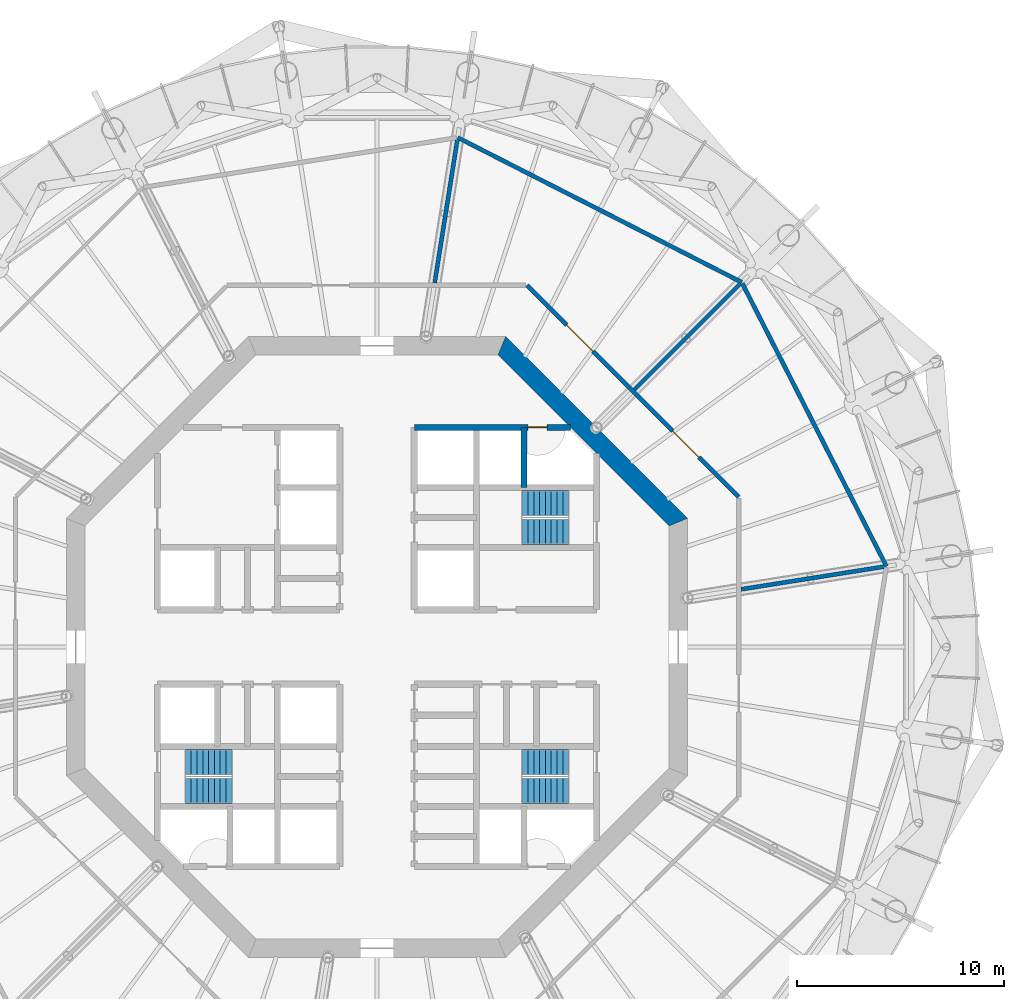
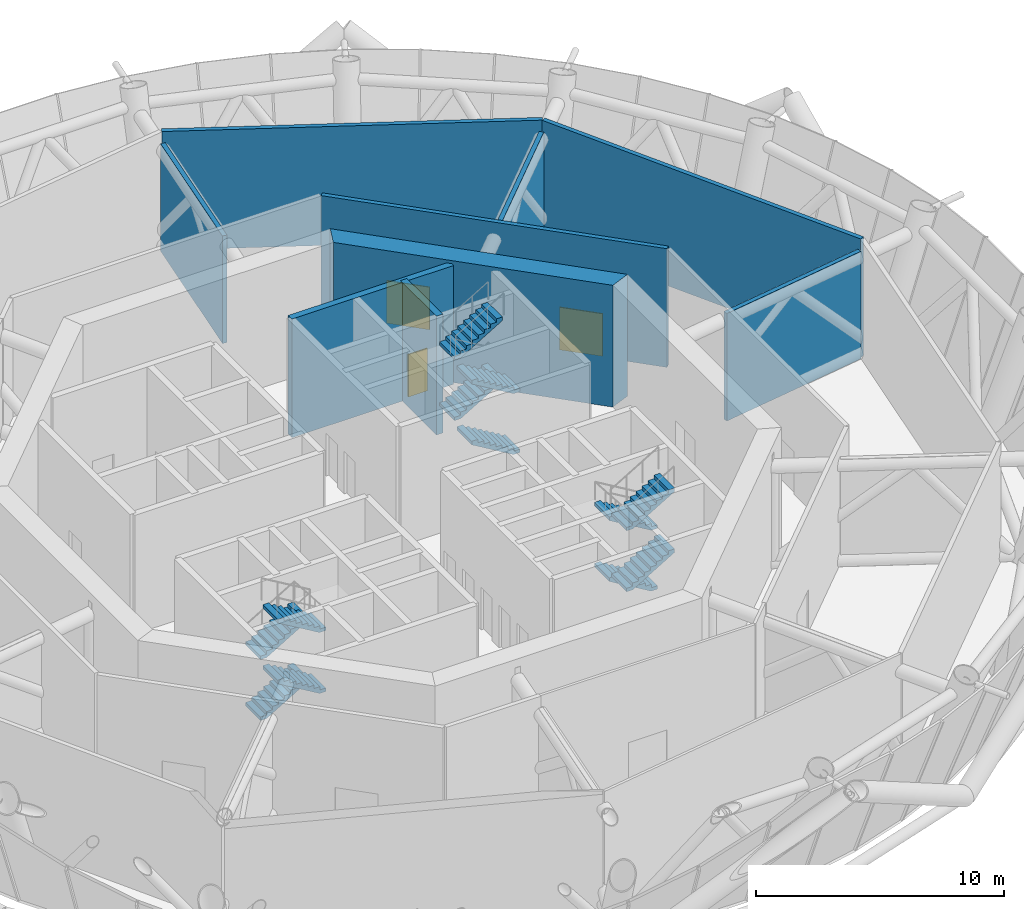
# One storey, part 10 of 15: 12 stair flights, 9 walls, 3 doors, 3 openings, 3 elements without a shape of their own.
"""IFC4 building model written with IfcOpenShell, lengths in metres."""

from ifc_helpers import new_model, si_unit, direction, frame, frame_2d, origin, place, context, subcontext, project, spatial, polyline, rectangle, outline, extrude, material, layer, layer_set, type_object, element, fill, aggregate, save


model = new_model("IFC4")

# Units and contexts
model_context = context("Model", 3, precision=1e-05, world=origin(), true_north=direction((0.0, 1.0)))
body_context = subcontext(model_context, "Body", "Model", "MODEL_VIEW")
ifc_project = project(units=[si_unit("LENGTHUNIT", "METRE"), si_unit("AREAUNIT", "SQUARE_METRE"), si_unit("VOLUMEUNIT", "CUBIC_METRE"), si_unit("PLANEANGLEUNIT", "RADIAN"), si_unit("MASSUNIT", "GRAM", prefix="KILO")], contexts=[model_context])

# Site, building, storey
site_placement = place(None, origin())
site = spatial("IfcSite", under=ifc_project, at=site_placement, CompositionType="ELEMENT")
building_placement = place(site_placement, origin())
building = spatial("IfcBuilding", under=site, at=building_placement, Name="Entoto Ring Tower", CompositionType="ELEMENT")
storey_placement = place(building_placement, frame((0.0, 0.0, 268.0)))
storey = spatial("IfcBuildingStorey", under=building, at=storey_placement, Name="L61", CompositionType="ELEMENT", Elevation=268.0)

# Wall
ifc_material_1 = material(Name="Concrete C40/50", Category="concrete")
ifc_layer_1 = layer(ifc_material_1, 0.300048828125)
ifc_layer_set_1 = layer_set([ifc_layer_1], Name="Concrete C40/50")
wall_type_1 = type_object("IfcWallType", Name="Core enclosure wall 300 mm reinforced concrete", PredefinedType="SOLIDWALL", material=ifc_layer_set_1)
wall_1_placement = place(storey_placement, frame((97.10009765625, 87.699951171875, 0.0), z_axis=(0.0, 0.0, 1.0), x_axis=(0.0, 1.0, 0.0)))
element("IfcWall", 1, at=wall_1_placement, inside=storey, type_object=wall_type_1, Name="wall-L61-005", PredefinedType="SOLIDWALL", context=body_context, shape_type="SweptSolid", body=[
    extrude(rectangle(XDim=2.900146484375, YDim=0.300048828125, at=frame_2d((1.4501953125, 0.0))), origin(), (0.0, 0.0, 1.0), 5.85009765625),
])

# Wall, opening, door
wall_2_placement = place(storey_placement, frame((91.800048828125, 90.60009765625, 0.0), z_axis=(0.0, 0.0, 1.0), x_axis=(1.0, 0.0, 0.0)))
wall_2 = element("IfcWall", 2, at=wall_2_placement, inside=storey, type_object=wall_type_1, Name="wall-L61-043", PredefinedType="SOLIDWALL", context=body_context, shape_type="SweptSolid", body=[
    extrude(rectangle(XDim=7.540283203125, YDim=0.300048828125, at=frame_2d((3.77001953125, 0.0))), origin(), (0.0, 0.0, 1.0), 5.85009765625),
])
opening_1_placement = place(wall_2_placement, frame((5.5, 0.0, 0.0)))
opening_1 = element("IfcOpeningElement", 3, at=opening_1_placement, cuts=wall_2, Name="Opening K-82", PredefinedType="OPENING", context=body_context, shape_type="SweptSolid", body=[
    extrude(rectangle(XDim=0.89990234375, YDim=2.10009765625, at=frame_2d((0.449951171875, 1.050048828125))), frame((0.0, 0.16015625, 0.0), z_axis=(0.0, -1.0, 0.0), x_axis=(1.0, 0.0, 0.0)), (0.0, 0.0, 1.0), 0.320068359375),
])
ifc_material_2 = material(Name="Steel door leaf, fire rated", Category="steel")
ifc_layer_2 = layer(ifc_material_2, 0.050048828125)
ifc_layer_set_2 = layer_set([ifc_layer_2], Name="Steel door leaf, fire rated")
door_type_1 = type_object("IfcDoorType", Name="Riser door FD60 900 x 2100 single leaf", OperationType="NOTDEFINED", PredefinedType="DOOR", material=ifc_layer_set_2)
door_1_placement = place(opening_1_placement, frame((0.89990234375, 0.0, 0.0), z_axis=(0.0, 0.0, 1.0), x_axis=(-1.0, 0.0, 0.0)))
door_1 = element("IfcDoor", 4, at=door_1_placement, inside=storey, type_object=door_type_1, Name="Door K-82", OperationType="SINGLE_SWING_LEFT", OverallHeight=2.10009765625, OverallWidth=0.89990234375, PredefinedType="DOOR", context=body_context, shape_type="SweptSolid", body=[
    extrude(rectangle(XDim=0.89990234375, YDim=2.10009765625, at=frame_2d((0.449951171875, 1.050048828125))), frame((0.0, 0.02490234375, 0.0), z_axis=(0.0, -1.0, 0.0), x_axis=(1.0, 0.0, 0.0)), (0.0, 0.0, 1.0), 0.050048828125),
])
fill(opening_1, door_1)

# Walls
ifc_material_3 = material(Name="Concrete C50/60", Category="concrete")
ifc_layer_3 = layer(ifc_material_3, 0.89990234375)
ifc_layer_set_3 = layer_set([ifc_layer_3], Name="Concrete C50/60")
wall_type_2 = type_object("IfcWallType", Name="Core shear wall 900 mm reinforced concrete C50/60", PredefinedType="SHEAR", material=ifc_layer_set_3)
wall_3_placement = place(storey_placement, frame((104.550048828125, 86.02685546875, 0.0), z_axis=(0.0, 0.0, 1.0), x_axis=(-0.707106781187, 0.707106781187, 0.0)))
element("IfcWall", 5, at=wall_3_placement, inside=storey, type_object=wall_type_2, Name="wall-L61-core-1", PredefinedType="SHEAR", context=body_context, shape_type="SweptSolid", body=[
    extrude(outline(polyline([(-0.186279296875, -0.449951171875), (12.239990234375, -0.449951171875), (11.867431640625, 0.449951171875), (0.186279296875, 0.449951171875), (-0.186279296875, -0.449951171875)])), origin(), (0.0, 0.0, 1.0), 6.0),
])
ifc_material_4 = material(Name="Concrete C20/25", Category="concrete")
ifc_layer_4 = layer(ifc_material_4, 0.199951171875)
ifc_layer_set_4 = layer_set([ifc_layer_4], Name="Concrete C20/25")
wall_type_3 = type_object("IfcWallType", Name="Plant room wall 200 mm two-hour concrete", PredefinedType="PARTITIONING", material=ifc_layer_set_4)
wall_4_placement = place(storey_placement, frame((107.60693359375, 97.60693359375, 0.0), z_axis=(0.0, 0.0, 1.0), x_axis=(-0.891003173145, 0.453997076472, 0.0)))
element("IfcWall", 6, at=wall_4_placement, inside=storey, type_object=wall_type_3, Name="partition-L61-009", PredefinedType="PARTITIONING", context=body_context, shape_type="SweptSolid", body=[
    extrude(rectangle(XDim=15.388916015625, YDim=0.199951171875, at=frame_2d((7.6943359375, 0.0))), origin(), (0.0, 0.0, 1.0), 5.85009765625),
])
wall_5_placement = place(storey_placement, frame((114.593505859375, 83.895263671875, 0.0), z_axis=(0.0, 0.0, 1.0), x_axis=(-0.453997587697, 0.891002912658, 0.0)))
element("IfcWall", 7, at=wall_5_placement, inside=storey, type_object=wall_type_3, Name="partition-L61-010", PredefinedType="PARTITIONING", context=body_context, shape_type="SweptSolid", body=[
    extrude(rectangle(XDim=15.330322265625, YDim=0.199951171875, at=frame_2d((7.6650390625, 0.0))), origin(), (0.0, 0.0, 1.0), 5.85009765625),
])

# Wall, openings, doors
wall_6_placement = place(storey_placement, frame((107.46240234375, 87.233154296875, 0.0), z_axis=(0.0, 0.0, 1.0), x_axis=(-0.707106781187, 0.707106781187, 0.0)))
wall_6 = element("IfcWall", 8, at=wall_6_placement, inside=storey, type_object=wall_type_3, Name="partition-L61-015", PredefinedType="PARTITIONING", context=body_context, shape_type="SweptSolid", body=[
    extrude(rectangle(XDim=14.46630859375, YDim=0.199951171875, at=frame_2d((7.233154296875, 0.0))), origin(), (0.0, 0.0, 1.0), 5.85009765625),
])
opening_2_placement = place(wall_6_placement, frame((2.716796875, 0.0, 0.0)))
opening_2 = element("IfcOpeningElement", 9, at=opening_2_placement, cuts=wall_6, Name="Opening A27-D01", PredefinedType="OPENING", context=body_context, shape_type="SweptSolid", body=[
    extrude(rectangle(XDim=1.800048828125, YDim=2.10009765625, at=frame_2d((0.89990234375, 1.050048828125))), frame((0.0, 0.10986328125, 0.0), z_axis=(0.0, -1.0, 0.0), x_axis=(1.0, 0.0, 0.0)), (0.0, 0.0, 1.0), 0.219970703125),
])
opening_3_placement = place(wall_6_placement, frame((9.94970703125, 0.0, 0.0)))
opening_3 = element("IfcOpeningElement", 10, at=opening_3_placement, cuts=wall_6, Name="Opening A27-D02", PredefinedType="OPENING", context=body_context, shape_type="SweptSolid", body=[
    extrude(rectangle(XDim=1.800048828125, YDim=2.10009765625, at=frame_2d((0.89990234375, 1.050048828125))), frame((0.0, 0.10986328125, 0.0), z_axis=(0.0, -1.0, 0.0), x_axis=(1.0, 0.0, 0.0)), (0.0, 0.0, 1.0), 0.219970703125),
])
ifc_material_5 = material(Name="Fire-resisting steel door set", Category="steel")
door_type_2 = type_object("IfcDoorType", Name="Door 1800 x 2100 double leaf FD60 steel door", OperationType="DOUBLE_DOOR_SINGLE_SWING", PredefinedType="DOOR", material=ifc_material_5)
door_2_placement = place(opening_2_placement, frame((1.800048828125, 0.0, 0.0), z_axis=(0.0, 0.0, 1.0), x_axis=(-1.0, 0.0, 0.0)))
door_2 = element("IfcDoor", 11, at=door_2_placement, inside=storey, type_object=door_type_2, Name="Door A27-D01", OperationType="DOUBLE_DOOR_SINGLE_SWING", OverallHeight=2.10009765625, OverallWidth=1.800048828125, PredefinedType="DOOR", context=body_context, shape_type="SweptSolid", body=[
    extrude(rectangle(XDim=1.800048828125, YDim=2.10009765625, at=frame_2d((0.89990234375, 1.050048828125))), frame((0.0, 0.02490234375, 0.0), z_axis=(0.0, -1.0, 0.0), x_axis=(1.0, 0.0, 0.0)), (0.0, 0.0, 1.0), 0.050048828125),
])
fill(opening_2, door_2)
door_3_placement = place(opening_3_placement, frame((1.800048828125, 0.0, 0.0), z_axis=(0.0, 0.0, 1.0), x_axis=(-1.0, 0.0, 0.0)))
door_3 = element("IfcDoor", 12, at=door_3_placement, inside=storey, type_object=door_type_2, Name="Door A27-D02", OperationType="DOUBLE_DOOR_SINGLE_SWING", OverallHeight=2.10009765625, OverallWidth=1.800048828125, PredefinedType="DOOR", context=body_context, shape_type="SweptSolid", body=[
    extrude(rectangle(XDim=1.800048828125, YDim=2.10009765625, at=frame_2d((0.89990234375, 1.050048828125))), frame((0.0, 0.02490234375, 0.0), z_axis=(0.0, -1.0, 0.0), x_axis=(1.0, 0.0, 0.0)), (0.0, 0.0, 1.0), 0.050048828125),
])
fill(opening_3, door_3)

# Walls
ifc_material_6 = material(Name="Concrete C20/25", Category="concrete")
ifc_layer_5 = layer(ifc_material_6, 0.199951171875)
ifc_layer_set_5 = layer_set([ifc_layer_5], Name="Concrete C20/25")
wall_type_4 = type_object("IfcWallType", Name="Plant room wall 200 mm two-hour concrete, 5300 mm high", PredefinedType="PARTITIONING", material=ifc_layer_set_5)
wall_7_placement = place(storey_placement, frame((102.418701171875, 92.418701171875, 0.0), z_axis=(0.0, 0.0, 1.0), x_axis=(0.707106781187, 0.707106781187, 0.0)))
element("IfcWall", 13, at=wall_7_placement, inside=storey, type_object=wall_type_4, Name="partition-L61-021", PredefinedType="PARTITIONING", context=body_context, shape_type="SweptSolid", body=[
    extrude(rectangle(XDim=7.199951171875, YDim=0.199951171875, at=frame_2d((3.60009765625, 0.0))), origin(), (0.0, 0.0, 1.0), 5.300048828125),
])
for number, where, z_axis, x_axis, name in (
    (14, (92.7841796875, 97.578125, 0.0), (0.0, 0.0, 1.0), (0.156435943606, 0.987688106412, 0.0), "partition-L61-024"),
    (15, (107.578125, 82.7841796875, 0.0), (0.0, 0.0, 1.0), (0.987688106412, 0.156435943606, 0.0), "partition-L61-025"),
):
    element("IfcWall", number, at=place(storey_placement, frame(where, z_axis=z_axis, x_axis=x_axis)), inside=storey, type_object=wall_type_4, Name=name, PredefinedType="PARTITIONING", context=body_context, shape_type="SweptSolid", body=[
        extrude(rectangle(XDim=6.965087890625, YDim=0.199951171875, at=frame_2d((3.482421875, 0.0))), origin(), (0.0, 0.0, 1.0), 5.300048828125),
    ])

# Stair, stair flights
ifc_material_7 = material(Name="Concrete C40/50", Category="concrete")
stair_type = type_object("IfcStairType", Name="Exit stair 1200 mm dog-leg reinforced concrete", PredefinedType="HALF_TURN_STAIR", material=ifc_material_7)
stair_1_placement = place(storey_placement, origin())
stair_1 = element("IfcStair", 16, at=stair_1_placement, inside=storey, type_object=stair_type, Name="Exit stair 1", PredefinedType="HALF_TURN_STAIR")
ifc_material_8 = material(Name="Concrete C40/50", Category="concrete")
stair_flight_type = type_object("IfcStairFlightType", Name="Stair flight 1200 mm reinforced concrete", PredefinedType="STRAIGHT", material=ifc_material_8)
stair_flight_1_placement = place(storey_placement, frame((99.25, 85.550048828125, 0.0), z_axis=(0.0, 0.0, 1.0), x_axis=(-1.0, 0.0, 0.0)))
stair_flight_1 = element("IfcStairFlight", 17, at=stair_flight_1_placement, type_object=stair_flight_type, Name="ST1 flight 1", NumberOfRisers=9, NumberOfTreads=8, PredefinedType="STRAIGHT", RiserHeight=0.166666667, TreadLength=0.28, context=body_context, shape_type="SweptSolid", body=[
    extrude(outline(polyline([(0.0, 0.0), (0.0, 0.166748046875), (0.280029296875, 0.166748046875), (0.280029296875, 0.333251953125), (0.56005859375, 0.333251953125), (0.56005859375, 0.5), (0.840087890625, 0.5), (0.840087890625, 0.666748046875), (1.1201171875, 0.666748046875), (1.1201171875, 0.833251953125), (1.39990234375, 0.833251953125), (1.39990234375, 1.0), (1.679931640625, 1.0), (1.679931640625, 1.166748046875), (1.9599609375, 1.166748046875), (1.9599609375, 1.333251953125), (2.239990234375, 1.333251953125), (2.239990234375, 1.5), (2.239990234375, 1.158935546875), (0.29296875, 0.0), (0.0, 0.0)])), frame((0.0, 0.60009765625, 0.0), z_axis=(0.0, -1.0, 0.0), x_axis=(1.0, 0.0, 0.0)), (0.0, 0.0, 1.0), 1.199951171875),
])
stair_flight_2_placement = place(storey_placement, frame((97.010009765625, 86.949951171875, 1.5), z_axis=(0.0, 0.0, 1.0), x_axis=(1.0, 0.0, 0.0)))
stair_flight_2 = element("IfcStairFlight", 18, at=stair_flight_2_placement, type_object=stair_flight_type, Name="ST1 flight 2", NumberOfRisers=9, NumberOfTreads=8, PredefinedType="STRAIGHT", RiserHeight=0.166666667, TreadLength=0.28, context=body_context, shape_type="SweptSolid", body=[
    extrude(outline(polyline([(0.0, 0.0), (0.0, 0.166748046875), (0.280029296875, 0.166748046875), (0.280029296875, 0.333251953125), (0.56005859375, 0.333251953125), (0.56005859375, 0.5), (0.840087890625, 0.5), (0.840087890625, 0.666748046875), (1.1201171875, 0.666748046875), (1.1201171875, 0.833251953125), (1.39990234375, 0.833251953125), (1.39990234375, 1.0), (1.679931640625, 1.0), (1.679931640625, 1.166748046875), (1.9599609375, 1.166748046875), (1.9599609375, 1.333251953125), (2.239990234375, 1.333251953125), (2.239990234375, 1.5), (2.239990234375, 1.158935546875), (0.29296875, 0.0), (0.0, 0.0)])), frame((0.0, 0.60009765625, 0.0), z_axis=(0.0, -1.0, 0.0), x_axis=(1.0, 0.0, 0.0)), (0.0, 0.0, 1.0), 1.199951171875),
])
stair_flight_3_placement = place(storey_placement, frame((99.25, 85.550048828125, 3.0), z_axis=(0.0, 0.0, 1.0), x_axis=(-1.0, 0.0, 0.0)))
stair_flight_3 = element("IfcStairFlight", 19, at=stair_flight_3_placement, type_object=stair_flight_type, Name="ST1 flight 3", NumberOfRisers=9, NumberOfTreads=8, PredefinedType="STRAIGHT", RiserHeight=0.166666667, TreadLength=0.28, context=body_context, shape_type="SweptSolid", body=[
    extrude(outline(polyline([(0.0, 0.0), (0.0, 0.166748046875), (0.280029296875, 0.166748046875), (0.280029296875, 0.333251953125), (0.56005859375, 0.333251953125), (0.56005859375, 0.5), (0.840087890625, 0.5), (0.840087890625, 0.666748046875), (1.1201171875, 0.666748046875), (1.1201171875, 0.833251953125), (1.39990234375, 0.833251953125), (1.39990234375, 1.0), (1.679931640625, 1.0), (1.679931640625, 1.166748046875), (1.9599609375, 1.166748046875), (1.9599609375, 1.333251953125), (2.239990234375, 1.333251953125), (2.239990234375, 1.5), (2.239990234375, 1.158935546875), (0.29296875, 0.0), (0.0, 0.0)])), frame((0.0, 0.60009765625, 0.0), z_axis=(0.0, -1.0, 0.0), x_axis=(1.0, 0.0, 0.0)), (0.0, 0.0, 1.0), 1.199951171875),
])
stair_flight_4_placement = place(storey_placement, frame((97.010009765625, 86.949951171875, 4.5), z_axis=(0.0, 0.0, 1.0), x_axis=(1.0, 0.0, 0.0)))
stair_flight_4 = element("IfcStairFlight", 20, at=stair_flight_4_placement, type_object=stair_flight_type, Name="ST1 flight 4", NumberOfRisers=9, NumberOfTreads=8, PredefinedType="STRAIGHT", RiserHeight=0.166666667, TreadLength=0.28, context=body_context, shape_type="SweptSolid", body=[
    extrude(outline(polyline([(0.0, 0.0), (0.0, 0.166748046875), (0.280029296875, 0.166748046875), (0.280029296875, 0.333251953125), (0.56005859375, 0.333251953125), (0.56005859375, 0.5), (0.840087890625, 0.5), (0.840087890625, 0.666748046875), (1.1201171875, 0.666748046875), (1.1201171875, 0.833251953125), (1.39990234375, 0.833251953125), (1.39990234375, 1.0), (1.679931640625, 1.0), (1.679931640625, 1.166748046875), (1.9599609375, 1.166748046875), (1.9599609375, 1.333251953125), (2.239990234375, 1.333251953125), (2.239990234375, 1.5), (2.239990234375, 1.158935546875), (0.29296875, 0.0), (0.0, 0.0)])), frame((0.0, 0.60009765625, 0.0), z_axis=(0.0, -1.0, 0.0), x_axis=(1.0, 0.0, 0.0)), (0.0, 0.0, 1.0), 1.199951171875),
])
aggregate(stair_1, [stair_flight_1, stair_flight_2, stair_flight_3, stair_flight_4])

stair_2_placement = place(storey_placement, origin())
stair_2 = element("IfcStair", 21, at=stair_2_placement, inside=storey, type_object=stair_type, Name="Exit stair 2", PredefinedType="HALF_TURN_STAIR")
stair_flight_5_placement = place(storey_placement, frame((80.75, 74.449951171875, 0.0), z_axis=(0.0, 0.0, 1.0), x_axis=(1.0, 0.0, 0.0)))
stair_flight_5 = element("IfcStairFlight", 22, at=stair_flight_5_placement, type_object=stair_flight_type, Name="ST2 flight 1", NumberOfRisers=9, NumberOfTreads=8, PredefinedType="STRAIGHT", RiserHeight=0.166666667, TreadLength=0.28, context=body_context, shape_type="SweptSolid", body=[
    extrude(outline(polyline([(0.0, 0.0), (0.0, 0.166748046875), (0.280029296875, 0.166748046875), (0.280029296875, 0.333251953125), (0.56005859375, 0.333251953125), (0.56005859375, 0.5), (0.840087890625, 0.5), (0.840087890625, 0.666748046875), (1.1201171875, 0.666748046875), (1.1201171875, 0.833251953125), (1.39990234375, 0.833251953125), (1.39990234375, 1.0), (1.679931640625, 1.0), (1.679931640625, 1.166748046875), (1.9599609375, 1.166748046875), (1.9599609375, 1.333251953125), (2.239990234375, 1.333251953125), (2.239990234375, 1.5), (2.239990234375, 1.158935546875), (0.29296875, 0.0), (0.0, 0.0)])), frame((0.0, 0.60009765625, 0.0), z_axis=(0.0, -1.0, 0.0), x_axis=(1.0, 0.0, 0.0)), (0.0, 0.0, 1.0), 1.199951171875),
])
stair_flight_6_placement = place(storey_placement, frame((82.989990234375, 73.050048828125, 1.5), z_axis=(0.0, 0.0, 1.0), x_axis=(-1.0, 0.0, 0.0)))
stair_flight_6 = element("IfcStairFlight", 23, at=stair_flight_6_placement, type_object=stair_flight_type, Name="ST2 flight 2", NumberOfRisers=9, NumberOfTreads=8, PredefinedType="STRAIGHT", RiserHeight=0.166666667, TreadLength=0.28, context=body_context, shape_type="SweptSolid", body=[
    extrude(outline(polyline([(0.0, 0.0), (0.0, 0.166748046875), (0.280029296875, 0.166748046875), (0.280029296875, 0.333251953125), (0.56005859375, 0.333251953125), (0.56005859375, 0.5), (0.840087890625, 0.5), (0.840087890625, 0.666748046875), (1.1201171875, 0.666748046875), (1.1201171875, 0.833251953125), (1.39990234375, 0.833251953125), (1.39990234375, 1.0), (1.679931640625, 1.0), (1.679931640625, 1.166748046875), (1.9599609375, 1.166748046875), (1.9599609375, 1.333251953125), (2.239990234375, 1.333251953125), (2.239990234375, 1.5), (2.239990234375, 1.158935546875), (0.29296875, 0.0), (0.0, 0.0)])), frame((0.0, 0.60009765625, 0.0), z_axis=(0.0, -1.0, 0.0), x_axis=(1.0, 0.0, 0.0)), (0.0, 0.0, 1.0), 1.199951171875),
])
stair_flight_7_placement = place(storey_placement, frame((80.75, 74.449951171875, 3.0), z_axis=(0.0, 0.0, 1.0), x_axis=(1.0, 0.0, 0.0)))
stair_flight_7 = element("IfcStairFlight", 24, at=stair_flight_7_placement, type_object=stair_flight_type, Name="ST2 flight 3", NumberOfRisers=9, NumberOfTreads=8, PredefinedType="STRAIGHT", RiserHeight=0.166666667, TreadLength=0.28, context=body_context, shape_type="SweptSolid", body=[
    extrude(outline(polyline([(0.0, 0.0), (0.0, 0.166748046875), (0.280029296875, 0.166748046875), (0.280029296875, 0.333251953125), (0.56005859375, 0.333251953125), (0.56005859375, 0.5), (0.840087890625, 0.5), (0.840087890625, 0.666748046875), (1.1201171875, 0.666748046875), (1.1201171875, 0.833251953125), (1.39990234375, 0.833251953125), (1.39990234375, 1.0), (1.679931640625, 1.0), (1.679931640625, 1.166748046875), (1.9599609375, 1.166748046875), (1.9599609375, 1.333251953125), (2.239990234375, 1.333251953125), (2.239990234375, 1.5), (2.239990234375, 1.158935546875), (0.29296875, 0.0), (0.0, 0.0)])), frame((0.0, 0.60009765625, 0.0), z_axis=(0.0, -1.0, 0.0), x_axis=(1.0, 0.0, 0.0)), (0.0, 0.0, 1.0), 1.199951171875),
])
stair_flight_8_placement = place(storey_placement, frame((82.989990234375, 73.050048828125, 4.5), z_axis=(0.0, 0.0, 1.0), x_axis=(-1.0, 0.0, 0.0)))
stair_flight_8 = element("IfcStairFlight", 25, at=stair_flight_8_placement, type_object=stair_flight_type, Name="ST2 flight 4", NumberOfRisers=9, NumberOfTreads=8, PredefinedType="STRAIGHT", RiserHeight=0.166666667, TreadLength=0.28, context=body_context, shape_type="SweptSolid", body=[
    extrude(outline(polyline([(0.0, 0.0), (0.0, 0.166748046875), (0.280029296875, 0.166748046875), (0.280029296875, 0.333251953125), (0.56005859375, 0.333251953125), (0.56005859375, 0.5), (0.840087890625, 0.5), (0.840087890625, 0.666748046875), (1.1201171875, 0.666748046875), (1.1201171875, 0.833251953125), (1.39990234375, 0.833251953125), (1.39990234375, 1.0), (1.679931640625, 1.0), (1.679931640625, 1.166748046875), (1.9599609375, 1.166748046875), (1.9599609375, 1.333251953125), (2.239990234375, 1.333251953125), (2.239990234375, 1.5), (2.239990234375, 1.158935546875), (0.29296875, 0.0), (0.0, 0.0)])), frame((0.0, 0.60009765625, 0.0), z_axis=(0.0, -1.0, 0.0), x_axis=(1.0, 0.0, 0.0)), (0.0, 0.0, 1.0), 1.199951171875),
])
aggregate(stair_2, [stair_flight_5, stair_flight_6, stair_flight_7, stair_flight_8])

stair_3_placement = place(storey_placement, origin())
stair_3 = element("IfcStair", 26, at=stair_3_placement, inside=storey, type_object=stair_type, Name="Exit stair 3", PredefinedType="HALF_TURN_STAIR")
stair_flight_9_placement = place(storey_placement, frame((99.25, 74.449951171875, 0.0), z_axis=(0.0, 0.0, 1.0), x_axis=(-1.0, 0.0, 0.0)))
stair_flight_9 = element("IfcStairFlight", 27, at=stair_flight_9_placement, type_object=stair_flight_type, Name="ST3 flight 1", NumberOfRisers=9, NumberOfTreads=8, PredefinedType="STRAIGHT", RiserHeight=0.166666667, TreadLength=0.28, context=body_context, shape_type="SweptSolid", body=[
    extrude(outline(polyline([(0.0, 0.0), (0.0, 0.166748046875), (0.280029296875, 0.166748046875), (0.280029296875, 0.333251953125), (0.56005859375, 0.333251953125), (0.56005859375, 0.5), (0.840087890625, 0.5), (0.840087890625, 0.666748046875), (1.1201171875, 0.666748046875), (1.1201171875, 0.833251953125), (1.39990234375, 0.833251953125), (1.39990234375, 1.0), (1.679931640625, 1.0), (1.679931640625, 1.166748046875), (1.9599609375, 1.166748046875), (1.9599609375, 1.333251953125), (2.239990234375, 1.333251953125), (2.239990234375, 1.5), (2.239990234375, 1.158935546875), (0.29296875, 0.0), (0.0, 0.0)])), frame((0.0, 0.60009765625, 0.0), z_axis=(0.0, -1.0, 0.0), x_axis=(1.0, 0.0, 0.0)), (0.0, 0.0, 1.0), 1.199951171875),
])
stair_flight_10_placement = place(storey_placement, frame((97.010009765625, 73.050048828125, 1.5), z_axis=(0.0, 0.0, 1.0), x_axis=(1.0, 0.0, 0.0)))
stair_flight_10 = element("IfcStairFlight", 28, at=stair_flight_10_placement, type_object=stair_flight_type, Name="ST3 flight 2", NumberOfRisers=9, NumberOfTreads=8, PredefinedType="STRAIGHT", RiserHeight=0.166666667, TreadLength=0.28, context=body_context, shape_type="SweptSolid", body=[
    extrude(outline(polyline([(0.0, 0.0), (0.0, 0.166748046875), (0.280029296875, 0.166748046875), (0.280029296875, 0.333251953125), (0.56005859375, 0.333251953125), (0.56005859375, 0.5), (0.840087890625, 0.5), (0.840087890625, 0.666748046875), (1.1201171875, 0.666748046875), (1.1201171875, 0.833251953125), (1.39990234375, 0.833251953125), (1.39990234375, 1.0), (1.679931640625, 1.0), (1.679931640625, 1.166748046875), (1.9599609375, 1.166748046875), (1.9599609375, 1.333251953125), (2.239990234375, 1.333251953125), (2.239990234375, 1.5), (2.239990234375, 1.158935546875), (0.29296875, 0.0), (0.0, 0.0)])), frame((0.0, 0.60009765625, 0.0), z_axis=(0.0, -1.0, 0.0), x_axis=(1.0, 0.0, 0.0)), (0.0, 0.0, 1.0), 1.199951171875),
])
stair_flight_11_placement = place(storey_placement, frame((99.25, 74.449951171875, 3.0), z_axis=(0.0, 0.0, 1.0), x_axis=(-1.0, 0.0, 0.0)))
stair_flight_11 = element("IfcStairFlight", 29, at=stair_flight_11_placement, type_object=stair_flight_type, Name="ST3 flight 3", NumberOfRisers=9, NumberOfTreads=8, PredefinedType="STRAIGHT", RiserHeight=0.166666667, TreadLength=0.28, context=body_context, shape_type="SweptSolid", body=[
    extrude(outline(polyline([(0.0, 0.0), (0.0, 0.166748046875), (0.280029296875, 0.166748046875), (0.280029296875, 0.333251953125), (0.56005859375, 0.333251953125), (0.56005859375, 0.5), (0.840087890625, 0.5), (0.840087890625, 0.666748046875), (1.1201171875, 0.666748046875), (1.1201171875, 0.833251953125), (1.39990234375, 0.833251953125), (1.39990234375, 1.0), (1.679931640625, 1.0), (1.679931640625, 1.166748046875), (1.9599609375, 1.166748046875), (1.9599609375, 1.333251953125), (2.239990234375, 1.333251953125), (2.239990234375, 1.5), (2.239990234375, 1.158935546875), (0.29296875, 0.0), (0.0, 0.0)])), frame((0.0, 0.60009765625, 0.0), z_axis=(0.0, -1.0, 0.0), x_axis=(1.0, 0.0, 0.0)), (0.0, 0.0, 1.0), 1.199951171875),
])
stair_flight_12_placement = place(storey_placement, frame((97.010009765625, 73.050048828125, 4.5), z_axis=(0.0, 0.0, 1.0), x_axis=(1.0, 0.0, 0.0)))
stair_flight_12 = element("IfcStairFlight", 30, at=stair_flight_12_placement, type_object=stair_flight_type, Name="ST3 flight 4", NumberOfRisers=9, NumberOfTreads=8, PredefinedType="STRAIGHT", RiserHeight=0.166666667, TreadLength=0.28, context=body_context, shape_type="SweptSolid", body=[
    extrude(outline(polyline([(0.0, 0.0), (0.0, 0.166748046875), (0.280029296875, 0.166748046875), (0.280029296875, 0.333251953125), (0.56005859375, 0.333251953125), (0.56005859375, 0.5), (0.840087890625, 0.5), (0.840087890625, 0.666748046875), (1.1201171875, 0.666748046875), (1.1201171875, 0.833251953125), (1.39990234375, 0.833251953125), (1.39990234375, 1.0), (1.679931640625, 1.0), (1.679931640625, 1.166748046875), (1.9599609375, 1.166748046875), (1.9599609375, 1.333251953125), (2.239990234375, 1.333251953125), (2.239990234375, 1.5), (2.239990234375, 1.158935546875), (0.29296875, 0.0), (0.0, 0.0)])), frame((0.0, 0.60009765625, 0.0), z_axis=(0.0, -1.0, 0.0), x_axis=(1.0, 0.0, 0.0)), (0.0, 0.0, 1.0), 1.199951171875),
])
aggregate(stair_3, [stair_flight_9, stair_flight_10, stair_flight_11, stair_flight_12])

save(model, "model.ifc")
